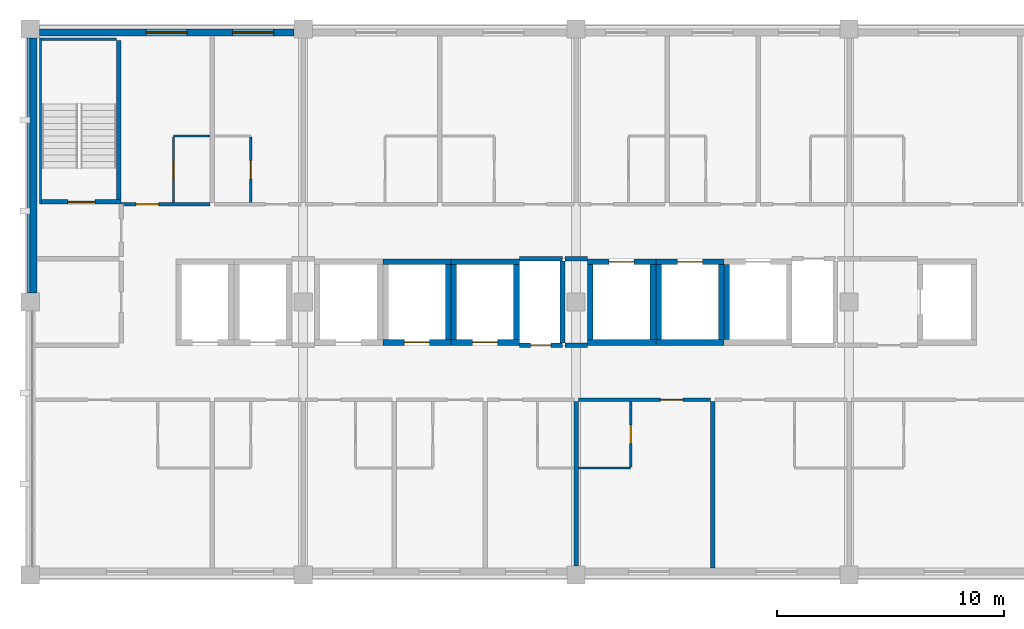
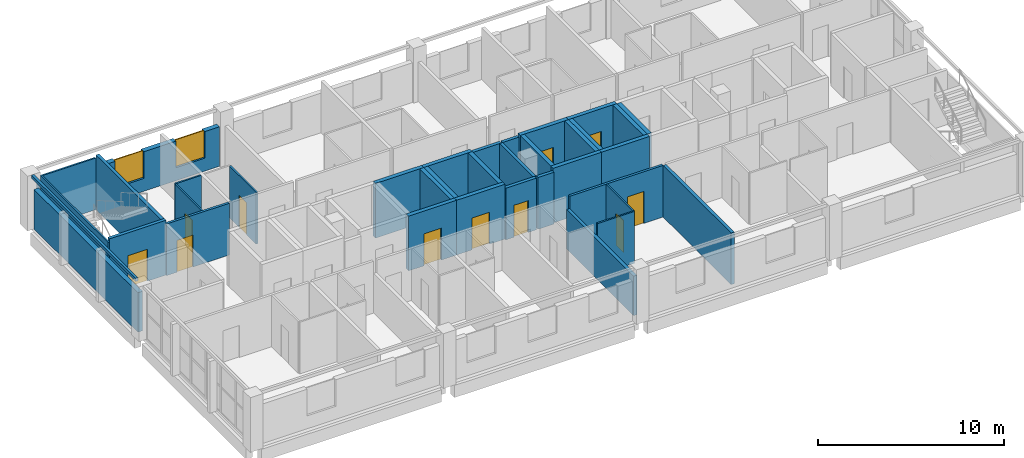
# One storey, part 7 of 11: 37 walls, 11 doors, 2 windows, 13 openings.
"""IFC4 building model written with IfcOpenShell, lengths in metres."""

import ifcopenshell
import ifcopenshell.guid

model = None  # the IFC model being written
_history = None  # IfcOwnerHistory: only IFC2X3 demands one
_inside = {}  # id of a spatial element -> (the spatial element, [elements in it])
_under = {}  # id of a project, library or spatial element -> (it, [spatial elements below it])
_declared = {}  # id of a project -> (the project, [libraries it declares])
_typed = {}  # id of a type object -> (the type object, [elements of that type])
_made_of = {}  # id of a material, layer set ... -> (it, [elements and type objects made of it])


def new_model(schema):
    """Start an empty IFC model of exactly this schema.

    Asked for "IFC4X3", IfcOpenShell would pick the latest addendum, in which some entities
    have other attributes; the version numbers below select the first issue.
    IFC2X3 requires an IfcOwnerHistory on every rooted entity: one is made here for all.
    """
    global model, _history
    if schema == "IFC4X3":
        model = ifcopenshell.file(schema_version=(4, 3, 0, 0))
    else:
        model = ifcopenshell.file(schema=schema)
    _inside.clear()
    _under.clear()
    _declared.clear()
    _typed.clear()
    _made_of.clear()
    _history = None
    if model.schema == "IFC2X3":
        org = make("IfcOrganization", Name="unknown")
        user = make(
            "IfcPersonAndOrganization",
            ThePerson=make("IfcPerson", FamilyName="unknown"),
            TheOrganization=org,
        )
        app = make(
            "IfcApplication",
            ApplicationDeveloper=org,
            Version="unknown",
            ApplicationFullName="unknown",
            ApplicationIdentifier="unknown",
        )
        _history = make(
            "IfcOwnerHistory",
            OwningUser=user,
            OwningApplication=app,
            ChangeAction="ADDED",
            CreationDate=0,
        )
    return model


def make(cls, **values):
    """One entity of the class cls with the attributes given. An attribute that is None is left unset."""
    return model.create_entity(
        cls, **{name: value for name, value in values.items() if value is not None}
    )


def rooted(cls, **values):
    """An entity with a GlobalId (a new one), such as an element, a storey or a relation."""
    return make(cls, GlobalId=ifcopenshell.guid.new(), OwnerHistory=_history, **values)


def si_unit(unit_type, name, prefix=None):
    """IfcSIUnit, for example si_unit("LENGTHUNIT", "METRE", prefix="MILLI")."""
    return make("IfcSIUnit", UnitType=unit_type, Prefix=prefix, Name=name)


def assignment(units):
    """IfcUnitAssignment: the units of a project."""
    return None if units is None else make("IfcUnitAssignment", Units=units)


def point(xyz):
    """IfcCartesianPoint."""
    return None if xyz is None else make("IfcCartesianPoint", Coordinates=xyz)


def direction(xyz):
    """IfcDirection."""
    return None if xyz is None else make("IfcDirection", DirectionRatios=xyz)


def frame(location, z_axis=None, x_axis=None):
    """IfcAxis2Placement3D, a coordinate frame: its origin and axes. An axis left out is left unset."""
    return make(
        "IfcAxis2Placement3D",
        Location=point(location),
        Axis=direction(z_axis),
        RefDirection=direction(x_axis),
    )


def frame_2d(location, x_axis=None):
    """IfcAxis2Placement2D, a coordinate frame in the plane: its origin and x axis."""
    return make(
        "IfcAxis2Placement2D", Location=point(location), RefDirection=direction(x_axis)
    )


def origin():
    """The frame at (0, 0, 0) with its axes left unset."""
    return frame((0.0, 0.0, 0.0))


def place(relative_to, where):
    """IfcLocalPlacement: puts the frame where relative to a parent placement (None: the world)."""
    return make(
        "IfcLocalPlacement", PlacementRelTo=relative_to, RelativePlacement=where
    )


def context(
    kind, dimensions, precision=None, world=None, true_north=None, identifier=None
):
    """IfcGeometricRepresentationContext, for example the 3D "Model" context."""
    return make(
        "IfcGeometricRepresentationContext",
        ContextIdentifier=identifier,
        ContextType=kind,
        CoordinateSpaceDimension=dimensions,
        Precision=precision,
        WorldCoordinateSystem=world,
        TrueNorth=true_north,
    )


def subcontext(parent, identifier, kind, view, scale=None):
    """IfcGeometricRepresentationSubContext, for example "Body" below "Model"."""
    return make(
        "IfcGeometricRepresentationSubContext",
        ContextIdentifier=identifier,
        ContextType=kind,
        ParentContext=parent,
        TargetScale=scale,
        TargetView=view,
    )


def project(units=None, contexts=None):
    """IfcProject with its units and contexts."""
    return rooted(
        "IfcProject",
        Name="project",
        RepresentationContexts=contexts,
        UnitsInContext=assignment(units),
    )


def spatial(cls, under=None, at=None, **own):
    """A site, building, storey or space (cls), placed at a placement, below another one or the project."""
    s = rooted(cls, ObjectPlacement=at, **own)
    if under is not None:
        _under.setdefault(under.id(), (under, []))[1].append(s)
    return s


def profile(cls, at=None, kind="AREA", **sizes):
    """A parametric profile (cls). Its sizes go by their IFC names, for example OverallWidth=200.0."""
    return make(cls, ProfileType=kind, Position=at, **sizes)


def rectangle(**sizes):
    """IfcRectangleProfileDef."""
    return profile("IfcRectangleProfileDef", **sizes)


def extrude(swept, where, along, depth):
    """IfcExtrudedAreaSolid: the profile swept, set in the frame where, extruded along a direction by depth."""
    return make(
        "IfcExtrudedAreaSolid",
        SweptArea=swept,
        Position=where,
        ExtrudedDirection=direction(along),
        Depth=depth,
    )


def shape(context_of_items, identifier, shape_type, items):
    """IfcShapeRepresentation: the items that make up one representation, for example the "Body"."""
    return make(
        "IfcShapeRepresentation",
        ContextOfItems=context_of_items,
        RepresentationIdentifier=identifier,
        RepresentationType=shape_type,
        Items=items,
    )


def material(Name=None, Category=None):
    """IfcMaterial."""
    return make("IfcMaterial", Name=Name, Category=Category)


def layer(
    of_material, thickness, ventilated=None, Name=None, Category=None, Priority=None
):
    """IfcMaterialLayer: one layer of a wall or slab, of a material (None: an air gap)."""
    return make(
        "IfcMaterialLayer",
        Material=of_material,
        LayerThickness=thickness,
        IsVentilated=ventilated,
        Name=Name,
        Category=Category,
        Priority=Priority,
    )


def layer_set(layers, Name=None):
    """IfcMaterialLayerSet."""
    return make("IfcMaterialLayerSet", MaterialLayers=layers, LayerSetName=Name)


def made_of(thing, what):
    """Note that an element or type object is made of a material, layer set ...; save() writes the relation."""
    if what is not None:
        _made_of.setdefault(what.id(), (what, []))[1].append(thing)
    return thing


def type_object(cls, material=None, **own):
    """A type object (cls), such as IfcWallType, which elements share."""
    return made_of(rooted(cls, **own), material)


def element(
    cls,
    number,
    at=None,
    inside=None,
    cuts=None,
    type_object=None,
    material=None,
    context=None,
    identifier="Body",
    shape_type=None,
    held_by="IfcProductDefinitionShape",
    body=None,
    shapes=None,
    **own,
):
    """One element of the class cls, such as IfcWall. Its Tag is "e" and its number.

    at: its placement. inside: the storey or other place that contains it. cuts: it is an
    opening in that element (IfcRelVoidsElement). A single representation is given by context,
    identifier, shape_type and body (its items); several are given by shapes. held_by: the class
    of the entity that holds the representations. save() writes the other relations.
    """
    e = rooted(cls, Tag="e%d" % number, ObjectPlacement=at, **own)
    if body is not None:
        shapes = [shape(context, identifier, shape_type, body)]
    if shapes is not None:
        e.Representation = make(held_by, Representations=shapes)
    if inside is not None:
        _inside.setdefault(inside.id(), (inside, []))[1].append(e)
    if cuts is not None:
        rooted(
            "IfcRelVoidsElement", RelatingBuildingElement=cuts, RelatedOpeningElement=e
        )
    if type_object is not None:
        _typed.setdefault(type_object.id(), (type_object, []))[1].append(e)
    return made_of(e, material)


def fill(opening, filler):
    """IfcRelFillsElement: the door or window that sits in an opening."""
    return rooted(
        "IfcRelFillsElement",
        RelatingOpeningElement=opening,
        RelatedBuildingElement=filler,
    )


def aggregate(whole, parts):
    """IfcRelAggregates: a whole, such as a stair, and the parts it consists of."""
    return rooted("IfcRelAggregates", RelatingObject=whole, RelatedObjects=parts)


def save(model, path):
    """Write the relations noted so far, then the file.

    IfcRelAggregates (storeys below a building ...), IfcRelContainedInSpatialStructure (elements
    in a storey), IfcRelDefinesByType, IfcRelAssociatesMaterial and IfcRelDeclares: one each for
    every whole, place, type object, material and project.
    """
    for whole, parts in _under.values():
        aggregate(whole, parts)
    for where, things in _inside.values():
        rooted(
            "IfcRelContainedInSpatialStructure",
            RelatedElements=things,
            RelatingStructure=where,
        )
    for kind, things in _typed.values():
        rooted("IfcRelDefinesByType", RelatedObjects=things, RelatingType=kind)
    for what, things in _made_of.values():
        rooted("IfcRelAssociatesMaterial", RelatedObjects=things, RelatingMaterial=what)
    for by, libraries in _declared.values():
        rooted("IfcRelDeclares", RelatingContext=by, RelatedDefinitions=libraries)
    model.write(path)


model = new_model("IFC4")

# Units and contexts
model_context = context("Model", 3, precision=1e-05, world=origin(), true_north=direction((0.0, 1.0)))
body_context = subcontext(model_context, "Body", "Model", "MODEL_VIEW")
ifc_project = project(units=[si_unit("LENGTHUNIT", "METRE"), si_unit("AREAUNIT", "SQUARE_METRE"), si_unit("VOLUMEUNIT", "CUBIC_METRE"), si_unit("PLANEANGLEUNIT", "RADIAN"), si_unit("MASSUNIT", "GRAM", prefix="KILO")], contexts=[model_context])

# Site, building, storey
site_placement = place(None, origin())
site = spatial("IfcSite", under=ifc_project, at=site_placement, CompositionType="ELEMENT")
building_placement = place(site_placement, origin())
building = spatial("IfcBuilding", under=site, at=building_placement, Name="Lilac Gate Convention Centre", CompositionType="ELEMENT")
storey_placement = place(building_placement, frame((0.0, 0.0, 42.60009765625)))
storey = spatial("IfcBuildingStorey", under=building, at=storey_placement, Name="L10", CompositionType="ELEMENT", Elevation=42.60009765625)

# Walls
ifc_material_1 = material(Name="Concrete C50", Category="concrete")
ifc_layer_1 = layer(ifc_material_1, 0.10009765625)
ifc_layer_set_1 = layer_set([ifc_layer_1], Name="Concrete C50")
wall_type_1 = type_object("IfcWallType", Name="Core wall 100 C50", PredefinedType="SHEAR", material=ifc_layer_set_1)
wall_1_placement = place(storey_placement, frame((42.449951171875, 238.300048828125, 0.0), z_axis=(0.0, 0.0, 1.0), x_axis=(0.0, 1.0, 0.0)))
element("IfcWall", 1, at=wall_1_placement, inside=storey, type_object=wall_type_1, Name="CRW9 core wall TS-WX L10 1", PredefinedType="SHEAR", context=body_context, shape_type="SweptSolid", body=[
    extrude(rectangle(XDim=7.300048828125, YDim=0.10009765625, at=frame_2d((3.64990234375, 0.0))), origin(), (0.0, 0.0, 1.0), 3.39990234375),
])
wall_2_placement = place(storey_placement, frame((42.5, 245.550048828125, 0.0), z_axis=(0.0, 0.0, 1.0), x_axis=(1.0, 0.0, 0.0)))
element("IfcWall", 2, at=wall_2_placement, inside=storey, type_object=wall_type_1, Name="CRW9 core wall TS-WX L10 2", PredefinedType="SHEAR", context=body_context, shape_type="SweptSolid", body=[
    extrude(rectangle(XDim=3.300048828125, YDim=0.10009765625, at=frame_2d((1.64990234375, 0.0))), origin(), (0.0, 0.0, 1.0), 3.39990234375),
])

# Wall, opening, door
ifc_layer_2 = layer(ifc_material_1, 0.199951171875)
ifc_layer_set_2 = layer_set([ifc_layer_2], Name="Concrete C50")
wall_type_2 = type_object("IfcWallType", Name="Core wall 200 C50", PredefinedType="SHEAR", material=ifc_layer_set_2)
wall_3_placement = place(storey_placement, frame((42.5, 238.39990234375, 0.0), z_axis=(0.0, 0.0, 1.0), x_axis=(1.0, 0.0, 0.0)))
wall_3 = element("IfcWall", 3, at=wall_3_placement, inside=storey, type_object=wall_type_2, Name="CRW6 core wall TS-W L10 1", PredefinedType="SHEAR", context=body_context, shape_type="SweptSolid", body=[
    extrude(rectangle(XDim=3.5, YDim=0.199951171875, at=frame_2d((1.75, 0.0))), origin(), (0.0, 0.0, 1.0), 3.599853515625),
])
opening_1_placement = place(wall_3_placement, frame((1.14990234375, 0.0, 0.0)))
opening_1 = element("IfcOpeningElement", 4, at=opening_1_placement, cuts=wall_3, Name="Opening T10-051", PredefinedType="OPENING", context=body_context, shape_type="SweptSolid", body=[
    extrude(rectangle(XDim=1.199951171875, YDim=2.10009765625, at=frame_2d((0.60009765625, 1.050048828125))), frame((0.0, 0.10986328125, 0.0), z_axis=(0.0, -1.0, 0.0), x_axis=(1.0, 0.0, 0.0)), (0.0, 0.0, 1.0), 0.219970703125),
])
ifc_material_2 = material(Name="Steel Q235B", Category="steel")
door_type_1 = type_object("IfcDoorType", Name="Stair door 1200", OperationType="SINGLE_SWING_LEFT", PredefinedType="DOOR", material=ifc_material_2)
door_1_placement = place(opening_1_placement, origin())
door_1 = element("IfcDoor", 5, at=door_1_placement, inside=storey, type_object=door_type_1, Name="Stair door NW L10", OperationType="SINGLE_SWING_RIGHT", OverallHeight=2.10009765625, OverallWidth=1.199951171875, PredefinedType="DOOR", context=body_context, shape_type="SweptSolid", body=[
    extrude(rectangle(XDim=1.199951171875, YDim=2.10009765625, at=frame_2d((0.60009765625, 1.050048828125))), frame((0.0, 0.02490234375, 0.0), z_axis=(0.0, -1.0, 0.0), x_axis=(1.0, 0.0, 0.0)), (0.0, 0.0, 1.0), 0.050048828125),
])
fill(opening_1, door_1)

# Wall
wall_4_placement = place(storey_placement, frame((45.89990234375, 238.5, 0.0), z_axis=(0.0, 0.0, 1.0), x_axis=(0.0, 1.0, 0.0)))
element("IfcWall", 6, at=wall_4_placement, inside=storey, type_object=wall_type_2, Name="CRW6 core wall TS-W L10 2", PredefinedType="SHEAR", context=body_context, shape_type="SweptSolid", body=[
    extrude(rectangle(XDim=7.0, YDim=0.199951171875, at=frame_2d((3.5, 0.0))), origin(), (0.0, 0.0, 1.0), 3.599853515625),
])

# Wall, opening, door
ifc_layer_3 = layer(ifc_material_1, 0.25)
ifc_layer_set_3 = layer_set([ifc_layer_3], Name="Concrete C50")
wall_type_3 = type_object("IfcWallType", Name="Core wall 250 C50", PredefinedType="SHEAR", material=ifc_layer_set_3)
wall_5_placement = place(storey_placement, frame((57.5, 232.22509765625, 0.0), z_axis=(0.0, 0.0, 1.0), x_axis=(1.0, 0.0, 0.0)))
wall_5 = element("IfcWall", 7, at=wall_5_placement, inside=storey, type_object=wall_type_3, Name="CRW4 core wall TC L10 5", PredefinedType="SHEAR", context=body_context, shape_type="SweptSolid", body=[
    extrude(rectangle(XDim=3.0, YDim=0.25, at=frame_2d((1.5, 0.0))), origin(), (0.0, 0.0, 1.0), 3.599853515625),
])
opening_2_placement = place(wall_5_placement, frame((0.949951171875, 0.0, 0.0)))
opening_2 = element("IfcOpeningElement", 8, at=opening_2_placement, cuts=wall_5, Name="Opening T10-043", PredefinedType="OPENING", context=body_context, shape_type="SweptSolid", body=[
    extrude(rectangle(XDim=1.10009765625, YDim=2.10009765625, at=frame_2d((0.550048828125, 1.050048828125))), frame((0.0, 0.135009765625, 0.0), z_axis=(0.0, -1.0, 0.0), x_axis=(1.0, 0.0, 0.0)), (0.0, 0.0, 1.0), 0.27001953125),
])
ifc_material_3 = material(Name="Stainless steel 304", Category="steel")
door_type_2 = type_object("IfcDoorType", Name="Lift landing door 1100", OperationType="SLIDING_TO_LEFT", PredefinedType="DOOR", material=ifc_material_3)
door_2_placement = place(opening_2_placement, origin())
door_2 = element("IfcDoor", 9, at=door_2_placement, inside=storey, type_object=door_type_2, Name="Lift landing door TP2 L10", OperationType="SLIDING_TO_LEFT", OverallHeight=2.10009765625, OverallWidth=1.10009765625, PredefinedType="DOOR", context=body_context, shape_type="SweptSolid", body=[
    extrude(rectangle(XDim=1.10009765625, YDim=2.10009765625, at=frame_2d((0.550048828125, 1.050048828125))), frame((0.0, 0.02490234375, 0.0), z_axis=(0.0, -1.0, 0.0), x_axis=(1.0, 0.0, 0.0)), (0.0, 0.0, 1.0), 0.050048828125),
])
fill(opening_2, door_2)

# Walls
wall_6_placement = place(storey_placement, frame((57.5, 235.77490234375, 0.0), z_axis=(0.0, 0.0, 1.0), x_axis=(1.0, 0.0, 0.0)))
element("IfcWall", 10, at=wall_6_placement, inside=storey, type_object=wall_type_3, Name="CRW4 core wall TC L10 6", PredefinedType="SHEAR", context=body_context, shape_type="SweptSolid", body=[
    extrude(rectangle(XDim=3.0, YDim=0.25, at=frame_2d((1.5, 0.0))), origin(), (0.0, 0.0, 1.0), 3.599853515625),
])
wall_7_placement = place(storey_placement, frame((60.375, 232.35009765625, 0.0), z_axis=(0.0, 0.0, 1.0), x_axis=(0.0, 1.0, 0.0)))
element("IfcWall", 11, at=wall_7_placement, inside=storey, type_object=wall_type_3, Name="CRW4 core wall TC L10 8", PredefinedType="SHEAR", context=body_context, shape_type="SweptSolid", body=[
    extrude(rectangle(XDim=3.2998046875, YDim=0.25, at=frame_2d((1.64990234375, 0.0))), origin(), (0.0, 0.0, 1.0), 3.599853515625),
])

# Wall, opening, door
wall_8_placement = place(storey_placement, frame((60.5, 232.22509765625, 0.0), z_axis=(0.0, 0.0, 1.0), x_axis=(1.0, 0.0, 0.0)))
wall_8 = element("IfcWall", 12, at=wall_8_placement, inside=storey, type_object=wall_type_3, Name="CRW4 core wall TC L10 9", PredefinedType="SHEAR", context=body_context, shape_type="SweptSolid", body=[
    extrude(rectangle(XDim=3.0, YDim=0.25, at=frame_2d((1.5, 0.0))), origin(), (0.0, 0.0, 1.0), 3.599853515625),
])
opening_3_placement = place(wall_8_placement, frame((0.949951171875, 0.0, 0.0)))
opening_3 = element("IfcOpeningElement", 13, at=opening_3_placement, cuts=wall_8, Name="Opening T10-044", PredefinedType="OPENING", context=body_context, shape_type="SweptSolid", body=[
    extrude(rectangle(XDim=1.10009765625, YDim=2.10009765625, at=frame_2d((0.550048828125, 1.050048828125))), frame((0.0, 0.135009765625, 0.0), z_axis=(0.0, -1.0, 0.0), x_axis=(1.0, 0.0, 0.0)), (0.0, 0.0, 1.0), 0.27001953125),
])
door_3_placement = place(opening_3_placement, origin())
door_3 = element("IfcDoor", 14, at=door_3_placement, inside=storey, type_object=door_type_2, Name="Lift landing door TP3 L10", OperationType="SLIDING_TO_LEFT", OverallHeight=2.10009765625, OverallWidth=1.10009765625, PredefinedType="DOOR", context=body_context, shape_type="SweptSolid", body=[
    extrude(rectangle(XDim=1.10009765625, YDim=2.10009765625, at=frame_2d((0.550048828125, 1.050048828125))), frame((0.0, 0.02490234375, 0.0), z_axis=(0.0, -1.0, 0.0), x_axis=(1.0, 0.0, 0.0)), (0.0, 0.0, 1.0), 0.050048828125),
])
fill(opening_3, door_3)

# Walls
wall_9_placement = place(storey_placement, frame((60.5, 235.77490234375, 0.0), z_axis=(0.0, 0.0, 1.0), x_axis=(1.0, 0.0, 0.0)))
element("IfcWall", 15, at=wall_9_placement, inside=storey, type_object=wall_type_3, Name="CRW4 core wall TC L10 10", PredefinedType="SHEAR", context=body_context, shape_type="SweptSolid", body=[
    extrude(rectangle(XDim=3.0, YDim=0.25, at=frame_2d((1.5, 0.0))), origin(), (0.0, 0.0, 1.0), 3.599853515625),
])
for number, where, z_axis, x_axis, name in (
    (16, (60.625, 232.35009765625, 0.0), (0.0, 0.0, 1.0), (0.0, 1.0, 0.0), "CRW4 core wall TC L10 11"),
    (17, (63.375, 232.35009765625, 0.0), (0.0, 0.0, 1.0), (0.0, 1.0, 0.0), "CRW4 core wall TC L10 12"),
):
    element("IfcWall", number, at=place(storey_placement, frame(where, z_axis=z_axis, x_axis=x_axis)), inside=storey, type_object=wall_type_3, Name=name, PredefinedType="SHEAR", context=body_context, shape_type="SweptSolid", body=[
        extrude(rectangle(XDim=3.2998046875, YDim=0.25, at=frame_2d((1.64990234375, 0.0))), origin(), (0.0, 0.0, 1.0), 3.599853515625),
    ])
wall_10_placement = place(storey_placement, frame((66.5, 232.22509765625, 0.0), z_axis=(0.0, 0.0, 1.0), x_axis=(1.0, 0.0, 0.0)))
element("IfcWall", 18, at=wall_10_placement, inside=storey, type_object=wall_type_3, Name="CRW4 core wall TC L10 13", PredefinedType="SHEAR", context=body_context, shape_type="SweptSolid", body=[
    extrude(rectangle(XDim=3.0, YDim=0.25, at=frame_2d((1.5, 0.0))), origin(), (0.0, 0.0, 1.0), 3.599853515625),
])

# Wall, opening, door
wall_11_placement = place(storey_placement, frame((66.5, 235.77490234375, 0.0), z_axis=(0.0, 0.0, 1.0), x_axis=(1.0, 0.0, 0.0)))
wall_11 = element("IfcWall", 19, at=wall_11_placement, inside=storey, type_object=wall_type_3, Name="CRW4 core wall TC L10 14", PredefinedType="SHEAR", context=body_context, shape_type="SweptSolid", body=[
    extrude(rectangle(XDim=3.0, YDim=0.25, at=frame_2d((1.5, 0.0))), origin(), (0.0, 0.0, 1.0), 3.599853515625),
])
opening_4_placement = place(wall_11_placement, frame((0.949951171875, 0.0, 0.0)))
opening_4 = element("IfcOpeningElement", 20, at=opening_4_placement, cuts=wall_11, Name="Opening T10-045", PredefinedType="OPENING", context=body_context, shape_type="SweptSolid", body=[
    extrude(rectangle(XDim=1.10009765625, YDim=2.10009765625, at=frame_2d((0.550048828125, 1.050048828125))), frame((0.0, 0.135009765625, 0.0), z_axis=(0.0, -1.0, 0.0), x_axis=(1.0, 0.0, 0.0)), (0.0, 0.0, 1.0), 0.27001953125),
])
door_4_placement = place(opening_4_placement, origin())
door_4 = element("IfcDoor", 21, at=door_4_placement, inside=storey, type_object=door_type_2, Name="Lift landing door TP4 L10", OperationType="SLIDING_TO_LEFT", OverallHeight=2.10009765625, OverallWidth=1.10009765625, PredefinedType="DOOR", context=body_context, shape_type="SweptSolid", body=[
    extrude(rectangle(XDim=1.10009765625, YDim=2.10009765625, at=frame_2d((0.550048828125, 1.050048828125))), frame((0.0, 0.02490234375, 0.0), z_axis=(0.0, -1.0, 0.0), x_axis=(1.0, 0.0, 0.0)), (0.0, 0.0, 1.0), 0.050048828125),
])
fill(opening_4, door_4)

# Walls
for number, where, z_axis, x_axis, name in (
    (22, (66.625, 232.35009765625, 0.0), (0.0, 0.0, 1.0), (0.0, 1.0, 0.0), "CRW4 core wall TC L10 15"),
    (23, (69.375, 232.35009765625, 0.0), (0.0, 0.0, 1.0), (0.0, 1.0, 0.0), "CRW4 core wall TC L10 16"),
):
    element("IfcWall", number, at=place(storey_placement, frame(where, z_axis=z_axis, x_axis=x_axis)), inside=storey, type_object=wall_type_3, Name=name, PredefinedType="SHEAR", context=body_context, shape_type="SweptSolid", body=[
        extrude(rectangle(XDim=3.2998046875, YDim=0.25, at=frame_2d((1.64990234375, 0.0))), origin(), (0.0, 0.0, 1.0), 3.599853515625),
    ])
wall_12_placement = place(storey_placement, frame((69.5, 232.22509765625, 0.0), z_axis=(0.0, 0.0, 1.0), x_axis=(1.0, 0.0, 0.0)))
element("IfcWall", 24, at=wall_12_placement, inside=storey, type_object=wall_type_3, Name="CRW4 core wall TC L10 17", PredefinedType="SHEAR", context=body_context, shape_type="SweptSolid", body=[
    extrude(rectangle(XDim=3.0, YDim=0.25, at=frame_2d((1.5, 0.0))), origin(), (0.0, 0.0, 1.0), 3.599853515625),
])

# Wall, opening, door
wall_13_placement = place(storey_placement, frame((69.5, 235.77490234375, 0.0), z_axis=(0.0, 0.0, 1.0), x_axis=(1.0, 0.0, 0.0)))
wall_13 = element("IfcWall", 25, at=wall_13_placement, inside=storey, type_object=wall_type_3, Name="CRW4 core wall TC L10 18", PredefinedType="SHEAR", context=body_context, shape_type="SweptSolid", body=[
    extrude(rectangle(XDim=3.0, YDim=0.25, at=frame_2d((1.5, 0.0))), origin(), (0.0, 0.0, 1.0), 3.599853515625),
])
opening_5_placement = place(wall_13_placement, frame((0.949951171875, 0.0, 0.0)))
opening_5 = element("IfcOpeningElement", 26, at=opening_5_placement, cuts=wall_13, Name="Opening T10-046", PredefinedType="OPENING", context=body_context, shape_type="SweptSolid", body=[
    extrude(rectangle(XDim=1.10009765625, YDim=2.10009765625, at=frame_2d((0.550048828125, 1.050048828125))), frame((0.0, 0.135009765625, 0.0), z_axis=(0.0, -1.0, 0.0), x_axis=(1.0, 0.0, 0.0)), (0.0, 0.0, 1.0), 0.27001953125),
])
door_5_placement = place(opening_5_placement, origin())
door_5 = element("IfcDoor", 27, at=door_5_placement, inside=storey, type_object=door_type_2, Name="Lift landing door TP5 L10", OperationType="SLIDING_TO_LEFT", OverallHeight=2.10009765625, OverallWidth=1.10009765625, PredefinedType="DOOR", context=body_context, shape_type="SweptSolid", body=[
    extrude(rectangle(XDim=1.10009765625, YDim=2.10009765625, at=frame_2d((0.550048828125, 1.050048828125))), frame((0.0, 0.02490234375, 0.0), z_axis=(0.0, -1.0, 0.0), x_axis=(1.0, 0.0, 0.0)), (0.0, 0.0, 1.0), 0.050048828125),
])
fill(opening_5, door_5)

# Walls
for number, where, z_axis, x_axis, name in (
    (28, (69.625, 232.35009765625, 0.0), (0.0, 0.0, 1.0), (0.0, 1.0, 0.0), "CRW4 core wall TC L10 19"),
    (29, (72.375, 232.35009765625, 0.0), (0.0, 0.0, 1.0), (0.0, 1.0, 0.0), "CRW4 core wall TC L10 20"),
    (30, (72.625, 232.35009765625, 0.0), (0.0, 0.0, 1.0), (0.0, 1.0, 0.0), "CRW4 core wall TC L10 23"),
):
    element("IfcWall", number, at=place(storey_placement, frame(where, z_axis=z_axis, x_axis=x_axis)), inside=storey, type_object=wall_type_3, Name=name, PredefinedType="SHEAR", context=body_context, shape_type="SweptSolid", body=[
        extrude(rectangle(XDim=3.2998046875, YDim=0.25, at=frame_2d((1.64990234375, 0.0))), origin(), (0.0, 0.0, 1.0), 3.599853515625),
    ])

# Wall, opening, door
ifc_material_4 = material(Name="Gypsum board on steel stud", Category="steel")
ifc_layer_4 = layer(ifc_material_4, 0.14990234375)
ifc_layer_set_4 = layer_set([ifc_layer_4], Name="Gypsum board on steel stud")
wall_type_4 = type_object("IfcWallType", Name="Corridor wall 150", PredefinedType="PARTITIONING", material=ifc_layer_set_4)
wall_14_placement = place(storey_placement, frame((71.89990234375, 229.699951171875, 0.0), z_axis=(0.0, 0.0, 1.0), x_axis=(-1.0, 0.0, 0.0)))
wall_14 = element("IfcWall", 31, at=wall_14_placement, inside=storey, type_object=wall_type_4, Name="Corridor wall 150 front 1006", PredefinedType="PARTITIONING", context=body_context, shape_type="SweptSolid", body=[
    extrude(rectangle(XDim=5.7998046875, YDim=0.14990234375, at=frame_2d((2.89990234375, 0.0))), origin(), (0.0, 0.0, 1.0), 3.39990234375),
])
opening_6_placement = place(wall_14_placement, frame((1.199951171875, 0.0, 0.0)))
opening_6 = element("IfcOpeningElement", 32, at=opening_6_placement, cuts=wall_14, Name="Opening T10-018", PredefinedType="OPENING", context=body_context, shape_type="SweptSolid", body=[
    extrude(rectangle(XDim=1.0, YDim=2.10009765625, at=frame_2d((0.5, 1.050048828125))), frame((0.0, 0.0849609375, 0.0), z_axis=(0.0, -1.0, 0.0), x_axis=(1.0, 0.0, 0.0)), (0.0, 0.0, 1.0), 0.169921875),
])
ifc_material_5 = material(Name="Timber", Category="wood")
door_type_3 = type_object("IfcDoorType", Name="Guest room entrance door 1000", OperationType="SINGLE_SWING_LEFT", PredefinedType="DOOR", material=ifc_material_5)
door_6_placement = place(opening_6_placement, origin())
door_6 = element("IfcDoor", 33, at=door_6_placement, inside=storey, type_object=door_type_3, Name="Guest room door 1006", OperationType="SINGLE_SWING_LEFT", OverallHeight=2.10009765625, OverallWidth=1.0, PredefinedType="DOOR", context=body_context, shape_type="SweptSolid", body=[
    extrude(rectangle(XDim=1.0, YDim=2.10009765625, at=frame_2d((0.5, 1.050048828125))), frame((0.0, 0.02490234375, 0.0), z_axis=(0.0, -1.0, 0.0), x_axis=(1.0, 0.0, 0.0)), (0.0, 0.0, 1.0), 0.050048828125),
])
fill(opening_6, door_6)

wall_15_placement = place(storey_placement, frame((46.0, 238.300048828125, 0.0), z_axis=(0.0, 0.0, 1.0), x_axis=(1.0, 0.0, 0.0)))
wall_15 = element("IfcWall", 34, at=wall_15_placement, inside=storey, type_object=wall_type_4, Name="Corridor wall 150 front 1009", PredefinedType="PARTITIONING", context=body_context, shape_type="SweptSolid", body=[
    extrude(rectangle(XDim=3.89990234375, YDim=0.14990234375, at=frame_2d((1.949951171875, 0.0))), origin(), (0.0, 0.0, 1.0), 3.39990234375),
])
opening_7_placement = place(wall_15_placement, frame((0.64990234375, 0.0, 0.0)))
opening_7 = element("IfcOpeningElement", 35, at=opening_7_placement, cuts=wall_15, Name="Opening T10-024", PredefinedType="OPENING", context=body_context, shape_type="SweptSolid", body=[
    extrude(rectangle(XDim=1.0, YDim=2.10009765625, at=frame_2d((0.5, 1.050048828125))), frame((0.0, 0.0849609375, 0.0), z_axis=(0.0, -1.0, 0.0), x_axis=(1.0, 0.0, 0.0)), (0.0, 0.0, 1.0), 0.169921875),
])
door_7_placement = place(opening_7_placement, origin())
door_7 = element("IfcDoor", 36, at=door_7_placement, inside=storey, type_object=door_type_3, Name="Guest room door 1009", OperationType="SINGLE_SWING_LEFT", OverallHeight=2.10009765625, OverallWidth=1.0, PredefinedType="DOOR", context=body_context, shape_type="SweptSolid", body=[
    extrude(rectangle(XDim=1.0, YDim=2.10009765625, at=frame_2d((0.5, 1.050048828125))), frame((0.0, 0.02490234375, 0.0), z_axis=(0.0, -1.0, 0.0), x_axis=(1.0, 0.0, 0.0)), (0.0, 0.0, 1.0), 0.050048828125),
])
fill(opening_7, door_7)

# Wall
ifc_layer_5 = layer(ifc_material_4, 0.10009765625)
ifc_layer_set_5 = layer_set([ifc_layer_5], Name="Gypsum board on steel stud")
wall_type_5 = type_object("IfcWallType", Name="En-suite wall 100", PredefinedType="PARTITIONING", material=ifc_layer_set_5)
wall_16_placement = place(storey_placement, frame((66.10009765625, 226.699951171875, 0.0), z_axis=(0.0, 0.0, 1.0), x_axis=(1.0, 0.0, 0.0)))
element("IfcWall", 37, at=wall_16_placement, inside=storey, type_object=wall_type_5, Name="En-suite wall 100 bath 1006", PredefinedType="PARTITIONING", context=body_context, shape_type="SweptSolid", body=[
    extrude(rectangle(XDim=2.2998046875, YDim=0.10009765625, at=frame_2d((1.14990234375, 0.0))), origin(), (0.0, 0.0, 1.0), 3.39990234375),
])

# Wall, opening, door
wall_17_placement = place(storey_placement, frame((68.39990234375, 229.625, 0.0), z_axis=(0.0, 0.0, 1.0), x_axis=(0.0, -1.0, 0.0)))
wall_17 = element("IfcWall", 38, at=wall_17_placement, inside=storey, type_object=wall_type_5, Name="En-suite wall 100 bath side 1006", PredefinedType="PARTITIONING", context=body_context, shape_type="SweptSolid", body=[
    extrude(rectangle(XDim=2.875, YDim=0.10009765625, at=frame_2d((1.4375, 0.0))), origin(), (0.0, 0.0, 1.0), 3.39990234375),
])
opening_8_placement = place(wall_17_placement, frame((1.03759765625, 0.0, 0.0)))
opening_8 = element("IfcOpeningElement", 39, at=opening_8_placement, cuts=wall_17, Name="Opening T10-019", PredefinedType="OPENING", context=body_context, shape_type="SweptSolid", body=[
    extrude(rectangle(XDim=0.800048828125, YDim=2.10009765625, at=frame_2d((0.39990234375, 1.050048828125))), frame((0.0, 0.06005859375, 0.0), z_axis=(0.0, -1.0, 0.0), x_axis=(1.0, 0.0, 0.0)), (0.0, 0.0, 1.0), 0.1201171875),
])
door_type_4 = type_object("IfcDoorType", Name="En-suite door 800", OperationType="SINGLE_SWING_LEFT", PredefinedType="DOOR", material=ifc_material_5)
door_8_placement = place(opening_8_placement, origin())
door_8 = element("IfcDoor", 40, at=door_8_placement, inside=storey, type_object=door_type_4, Name="En-suite door 1006", OperationType="SINGLE_SWING_LEFT", OverallHeight=2.10009765625, OverallWidth=0.800048828125, PredefinedType="DOOR", context=body_context, shape_type="SweptSolid", body=[
    extrude(rectangle(XDim=0.800048828125, YDim=2.10009765625, at=frame_2d((0.39990234375, 1.050048828125))), frame((0.0, 0.02490234375, 0.0), z_axis=(0.0, -1.0, 0.0), x_axis=(1.0, 0.0, 0.0)), (0.0, 0.0, 1.0), 0.050048828125),
])
fill(opening_8, door_8)

# Wall
wall_18_placement = place(storey_placement, frame((48.300048828125, 241.300048828125, 0.0), z_axis=(0.0, 0.0, 1.0), x_axis=(1.0, 0.0, 0.0)))
element("IfcWall", 41, at=wall_18_placement, inside=storey, type_object=wall_type_5, Name="En-suite wall 100 bath 1009", PredefinedType="PARTITIONING", context=body_context, shape_type="SweptSolid", body=[
    extrude(rectangle(XDim=1.599853515625, YDim=0.10009765625, at=frame_2d((0.7998046875, 0.0))), origin(), (0.0, 0.0, 1.0), 3.39990234375),
])

# Wall, opening, door
wall_19_placement = place(storey_placement, frame((48.300048828125, 238.375, 0.0), z_axis=(0.0, 0.0, 1.0), x_axis=(0.0, 1.0, 0.0)))
wall_19 = element("IfcWall", 42, at=wall_19_placement, inside=storey, type_object=wall_type_5, Name="En-suite wall 100 bath side 1009", PredefinedType="PARTITIONING", context=body_context, shape_type="SweptSolid", body=[
    extrude(rectangle(XDim=2.875, YDim=0.10009765625, at=frame_2d((1.4375, 0.0))), origin(), (0.0, 0.0, 1.0), 3.39990234375),
])
opening_9_placement = place(wall_19_placement, frame((1.03759765625, 0.0, 0.0)))
opening_9 = element("IfcOpeningElement", 43, at=opening_9_placement, cuts=wall_19, Name="Opening T10-025", PredefinedType="OPENING", context=body_context, shape_type="SweptSolid", body=[
    extrude(rectangle(XDim=0.800048828125, YDim=2.10009765625, at=frame_2d((0.39990234375, 1.050048828125))), frame((0.0, 0.06005859375, 0.0), z_axis=(0.0, -1.0, 0.0), x_axis=(1.0, 0.0, 0.0)), (0.0, 0.0, 1.0), 0.1201171875),
])
door_9_placement = place(opening_9_placement, origin())
door_9 = element("IfcDoor", 44, at=door_9_placement, inside=storey, type_object=door_type_4, Name="En-suite door 1009", OperationType="SINGLE_SWING_LEFT", OverallHeight=2.10009765625, OverallWidth=0.800048828125, PredefinedType="DOOR", context=body_context, shape_type="SweptSolid", body=[
    extrude(rectangle(XDim=0.800048828125, YDim=2.10009765625, at=frame_2d((0.39990234375, 1.050048828125))), frame((0.0, 0.02490234375, 0.0), z_axis=(0.0, -1.0, 0.0), x_axis=(1.0, 0.0, 0.0)), (0.0, 0.0, 1.0), 0.050048828125),
])
fill(opening_9, door_9)

wall_20_placement = place(storey_placement, frame((51.699951171875, 241.25, 0.0), z_axis=(0.0, 0.0, 1.0), x_axis=(0.0, -1.0, 0.0)))
wall_20 = element("IfcWall", 45, at=wall_20_placement, inside=storey, type_object=wall_type_5, Name="En-suite wall 100 bath side 1010", PredefinedType="PARTITIONING", context=body_context, shape_type="SweptSolid", body=[
    extrude(rectangle(XDim=2.875, YDim=0.10009765625, at=frame_2d((1.4375, 0.0))), origin(), (0.0, 0.0, 1.0), 3.39990234375),
])
opening_10_placement = place(wall_20_placement, frame((1.03759765625, 0.0, 0.0)))
opening_10 = element("IfcOpeningElement", 46, at=opening_10_placement, cuts=wall_20, Name="Opening T10-027", PredefinedType="OPENING", context=body_context, shape_type="SweptSolid", body=[
    extrude(rectangle(XDim=0.800048828125, YDim=2.10009765625, at=frame_2d((0.39990234375, 1.050048828125))), frame((0.0, 0.06005859375, 0.0), z_axis=(0.0, -1.0, 0.0), x_axis=(1.0, 0.0, 0.0)), (0.0, 0.0, 1.0), 0.1201171875),
])
door_10_placement = place(opening_10_placement, origin())
door_10 = element("IfcDoor", 47, at=door_10_placement, inside=storey, type_object=door_type_4, Name="En-suite door 1010", OperationType="SINGLE_SWING_RIGHT", OverallHeight=2.10009765625, OverallWidth=0.800048828125, PredefinedType="DOOR", context=body_context, shape_type="SweptSolid", body=[
    extrude(rectangle(XDim=0.800048828125, YDim=2.10009765625, at=frame_2d((0.39990234375, 1.050048828125))), frame((0.0, 0.02490234375, 0.0), z_axis=(0.0, -1.0, 0.0), x_axis=(1.0, 0.0, 0.0)), (0.0, 0.0, 1.0), 0.050048828125),
])
fill(opening_10, door_10)

# Walls
ifc_layer_6 = layer(ifc_material_4, 0.199951171875)
ifc_layer_set_6 = layer_set([ifc_layer_6], Name="Gypsum board on steel stud")
wall_type_6 = type_object("IfcWallType", Name="Guest room party wall 200", PredefinedType="PARTITIONING", material=ifc_layer_set_6)
wall_21_placement = place(storey_placement, frame((66.0, 222.39990234375, 0.0), z_axis=(0.0, 0.0, 1.0), x_axis=(0.0, 1.0, 0.0)))
element("IfcWall", 48, at=wall_21_placement, inside=storey, type_object=wall_type_6, Name="Guest room party wall 200 party 66.0", PredefinedType="PARTITIONING", context=body_context, shape_type="SweptSolid", body=[
    extrude(rectangle(XDim=7.22509765625, YDim=0.199951171875, at=frame_2d((3.612548828125, 0.0))), origin(), (0.0, 0.0, 1.0), 2.599853515625),
])
wall_22_placement = place(storey_placement, frame((72.0, 222.2998046875, 0.0), z_axis=(0.0, 0.0, 1.0), x_axis=(0.0, 1.0, 0.0)))
element("IfcWall", 49, at=wall_22_placement, inside=storey, type_object=wall_type_6, Name="Guest room party wall 200 party 72.0", PredefinedType="PARTITIONING", context=body_context, shape_type="SweptSolid", body=[
    extrude(rectangle(XDim=7.3251953125, YDim=0.199951171875, at=frame_2d((3.66259765625, 0.0))), origin(), (0.0, 0.0, 1.0), 3.39990234375),
])
ifc_material_6 = material(Name="Concrete C40 precast", Category="concrete")
ifc_layer_7 = layer(ifc_material_6, 0.1298828125)
ifc_material_7 = material(Name="Teal glazed cladding")
ifc_layer_8 = layer(ifc_material_7, 0.02001953125)
ifc_layer_set_7 = layer_set([ifc_layer_7, ifc_layer_8], Name="Concrete C40 precast, Teal glazed cladding")
wall_type_7 = type_object("IfcWallType", Name="Precast band teal 150", PredefinedType="STANDARD", material=ifc_layer_set_7)
wall_23_placement = place(storey_placement, frame((41.925048828125, 245.60009765625, 3.39990234375), z_axis=(0.0, 0.0, 1.0), x_axis=(0.0, -1.0, 0.0)))
element("IfcWall", 50, at=wall_23_placement, inside=storey, type_object=wall_type_7, Name="Precast band W L10 1", PredefinedType="STANDARD", context=body_context, shape_type="SweptSolid", body=[
    extrude(rectangle(XDim=11.2001953125, YDim=0.14990234375, at=frame_2d((5.60009765625, 0.0))), origin(), (0.0, 0.0, 1.0), 0.199951171875),
])

# Wall, openings, windows
ifc_material_8 = material(Name="Ochre mineral render")
ifc_layer_9 = layer(ifc_material_8, 0.02001953125)
ifc_layer_10 = layer(ifc_material_6, 0.06005859375)
ifc_material_9 = material(Name="Ventilated air cavity")
ifc_layer_11 = layer(ifc_material_9, 0.030029296875)
ifc_material_10 = material(Name="Mineral wool insulation")
ifc_layer_12 = layer(ifc_material_10, 0.1201171875)
ifc_material_11 = material(Name="Steel stud Q345 and gypsum lining", Category="steel")
ifc_layer_13 = layer(ifc_material_11, 0.070068359375)
ifc_layer_set_8 = layer_set([ifc_layer_9, ifc_layer_10, ifc_layer_11, ifc_layer_12, ifc_layer_13], Name="Ochre mineral render, Concrete C40 precast, Ventilated air cavity, Mineral wool insulation, Steel stud Q345 and gypsum lining")
wall_type_8 = type_object("IfcWallType", Name="Precast panel wall ochre 300", PredefinedType="STANDARD", material=ifc_layer_set_8)
wall_24_placement = place(storey_placement, frame((53.60009765625, 245.85009765625, 0.0), z_axis=(0.0, 0.0, 1.0), x_axis=(-1.0, 0.0, 0.0)))
wall_24 = element("IfcWall", 51, at=wall_24_placement, inside=storey, type_object=wall_type_8, Name="External wall N L10 4", PredefinedType="STANDARD", context=body_context, shape_type="SweptSolid", body=[
    extrude(rectangle(XDim=11.2001953125, YDim=0.300048828125, at=frame_2d((5.60009765625, 0.0))), origin(), (0.0, 0.0, 1.0), 2.599853515625),
])
opening_11_placement = place(wall_24_placement, frame((4.699951171875, 0.0, 0.85009765625)))
opening_11 = element("IfcOpeningElement", 52, at=opening_11_placement, cuts=wall_24, Name="Opening W1", PredefinedType="OPENING", context=body_context, shape_type="SweptSolid", body=[
    extrude(rectangle(XDim=1.800048828125, YDim=1.75, at=frame_2d((0.89990234375, 0.875))), frame((0.0, 0.159912109375, 0.0), z_axis=(0.0, -1.0, 0.0), x_axis=(1.0, 0.0, 0.0)), (0.0, 0.0, 1.0), 0.320068359375),
])
opening_12_placement = place(wall_24_placement, frame((0.89990234375, 0.0, 0.85009765625)))
opening_12 = element("IfcOpeningElement", 53, at=opening_12_placement, cuts=wall_24, Name="Opening W1", PredefinedType="OPENING", context=body_context, shape_type="SweptSolid", body=[
    extrude(rectangle(XDim=1.800048828125, YDim=1.75, at=frame_2d((0.89990234375, 0.875))), frame((0.0, 0.159912109375, 0.0), z_axis=(0.0, -1.0, 0.0), x_axis=(1.0, 0.0, 0.0)), (0.0, 0.0, 1.0), 0.320068359375),
])
ifc_material_12 = material(Name="Aluminium framed double glazing", Category="aluminium")
window_type = type_object("IfcWindowType", Name="Guest room window 1800 x 1750", PartitioningType="DOUBLE_PANEL_VERTICAL", PredefinedType="WINDOW", material=ifc_material_12)
window_1_placement = place(opening_11_placement, origin())
window_1 = element("IfcWindow", 54, at=window_1_placement, inside=storey, type_object=window_type, Name="Window Guest N L10", OverallHeight=1.75, OverallWidth=1.800048828125, PartitioningType="SINGLE_PANEL", PredefinedType="WINDOW", context=body_context, shape_type="SweptSolid", body=[
    extrude(rectangle(XDim=1.800048828125, YDim=1.75, at=frame_2d((0.89990234375, 0.875))), frame((0.0, 0.030029296875, 0.0), z_axis=(0.0, -1.0, 0.0), x_axis=(1.0, 0.0, 0.0)), (0.0, 0.0, 1.0), 0.06005859375),
])
fill(opening_11, window_1)
window_2_placement = place(opening_12_placement, origin())
window_2 = element("IfcWindow", 55, at=window_2_placement, inside=storey, type_object=window_type, Name="Window Guest N L10", OverallHeight=1.75, OverallWidth=1.800048828125, PartitioningType="SINGLE_PANEL", PredefinedType="WINDOW", context=body_context, shape_type="SweptSolid", body=[
    extrude(rectangle(XDim=1.800048828125, YDim=1.75, at=frame_2d((0.89990234375, 0.875))), frame((0.0, 0.030029296875, 0.0), z_axis=(0.0, -1.0, 0.0), x_axis=(1.0, 0.0, 0.0)), (0.0, 0.0, 1.0), 0.06005859375),
])
fill(opening_12, window_2)

# Wall
wall_25_placement = place(storey_placement, frame((42.14990234375, 245.60009765625, 0.0), z_axis=(0.0, 0.0, 1.0), x_axis=(0.0, -1.0, 0.0)))
element("IfcWall", 56, at=wall_25_placement, inside=storey, type_object=wall_type_8, Name="External wall W L10 1", PredefinedType="STANDARD", context=body_context, shape_type="SweptSolid", body=[
    extrude(rectangle(XDim=11.2001953125, YDim=0.300048828125, at=frame_2d((5.60009765625, 0.0))), origin(), (0.0, 0.0, 1.0), 2.599853515625),
])

# Wall, opening, door
ifc_layer_14 = layer(ifc_material_4, 0.199951171875)
ifc_layer_set_9 = layer_set([ifc_layer_14], Name="Gypsum board on steel stud")
wall_type_9 = type_object("IfcWallType", Name="Riser and store wall 200", PredefinedType="PARTITIONING", material=ifc_layer_set_9)
wall_26_placement = place(storey_placement, frame((63.5, 232.10009765625, 0.0), z_axis=(0.0, 0.0, 1.0), x_axis=(1.0, 0.0, 0.0)))
wall_26 = element("IfcWall", 57, at=wall_26_placement, inside=storey, type_object=wall_type_9, Name="Riser and store wall 200 RS1-S", PredefinedType="PARTITIONING", context=body_context, shape_type="SweptSolid", body=[
    extrude(rectangle(XDim=1.89990234375, YDim=0.199951171875, at=frame_2d((0.949951171875, 0.0))), origin(), (0.0, 0.0, 1.0), 3.39990234375),
])
opening_13_placement = place(wall_26_placement, frame((0.5, 0.0, 0.0)))
opening_13 = element("IfcOpeningElement", 58, at=opening_13_placement, cuts=wall_26, Name="Opening T10-002", PredefinedType="OPENING", context=body_context, shape_type="SweptSolid", body=[
    extrude(rectangle(XDim=0.89990234375, YDim=2.10009765625, at=frame_2d((0.449951171875, 1.050048828125))), frame((0.0, 0.10986328125, 0.0), z_axis=(0.0, -1.0, 0.0), x_axis=(1.0, 0.0, 0.0)), (0.0, 0.0, 1.0), 0.219970703125),
])
door_type_5 = type_object("IfcDoorType", Name="Riser and store door 900", OperationType="SINGLE_SWING_LEFT", PredefinedType="DOOR", material=ifc_material_2)
door_11_placement = place(opening_13_placement, origin())
door_11 = element("IfcDoor", 59, at=door_11_placement, inside=storey, type_object=door_type_5, Name="Riser room door", OperationType="SINGLE_SWING_RIGHT", OverallHeight=2.10009765625, OverallWidth=0.89990234375, PredefinedType="DOOR", context=body_context, shape_type="SweptSolid", body=[
    extrude(rectangle(XDim=0.89990234375, YDim=2.10009765625, at=frame_2d((0.449951171875, 1.050048828125))), frame((0.0, 0.02490234375, 0.0), z_axis=(0.0, -1.0, 0.0), x_axis=(1.0, 0.0, 0.0)), (0.0, 0.0, 1.0), 0.050048828125),
])
fill(opening_13, door_11)

# Walls
wall_27_placement = place(storey_placement, frame((65.5, 232.10009765625, 0.0), z_axis=(0.0, 0.0, 1.0), x_axis=(1.0, 0.0, 0.0)))
element("IfcWall", 60, at=wall_27_placement, inside=storey, type_object=wall_type_9, Name="Riser and store wall 200 NICHE2-S", PredefinedType="PARTITIONING", context=body_context, shape_type="SweptSolid", body=[
    extrude(rectangle(XDim=1.0, YDim=0.199951171875, at=frame_2d((0.5, 0.0))), origin(), (0.0, 0.0, 1.0), 3.39990234375),
])
wall_28_placement = place(storey_placement, frame((63.5, 235.89990234375, 0.0), z_axis=(0.0, 0.0, 1.0), x_axis=(1.0, 0.0, 0.0)))
element("IfcWall", 61, at=wall_28_placement, inside=storey, type_object=wall_type_9, Name="Riser and store wall 200 RS1-N", PredefinedType="PARTITIONING", context=body_context, shape_type="SweptSolid", body=[
    extrude(rectangle(XDim=1.89990234375, YDim=0.199951171875, at=frame_2d((0.949951171875, 0.0))), origin(), (0.0, 0.0, 1.0), 3.39990234375),
])
wall_29_placement = place(storey_placement, frame((65.5, 235.89990234375, 0.0), z_axis=(0.0, 0.0, 1.0), x_axis=(1.0, 0.0, 0.0)))
element("IfcWall", 62, at=wall_29_placement, inside=storey, type_object=wall_type_9, Name="Riser and store wall 200 NICHE2-N", PredefinedType="PARTITIONING", context=body_context, shape_type="SweptSolid", body=[
    extrude(rectangle(XDim=1.0, YDim=0.199951171875, at=frame_2d((0.5, 0.0))), origin(), (0.0, 0.0, 1.0), 3.39990234375),
])
wall_30_placement = place(storey_placement, frame((65.39990234375, 232.199951171875, 0.0), z_axis=(0.0, 0.0, 1.0), x_axis=(0.0, 1.0, 0.0)))
element("IfcWall", 63, at=wall_30_placement, inside=storey, type_object=wall_type_9, Name="Riser and store wall 200 RS1-E", PredefinedType="PARTITIONING", context=body_context, shape_type="SweptSolid", body=[
    extrude(rectangle(XDim=3.60009765625, YDim=0.199951171875, at=frame_2d((1.800048828125, 0.0))), origin(), (0.0, 0.0, 1.0), 3.39990234375),
])

save(model, "model.ifc")
